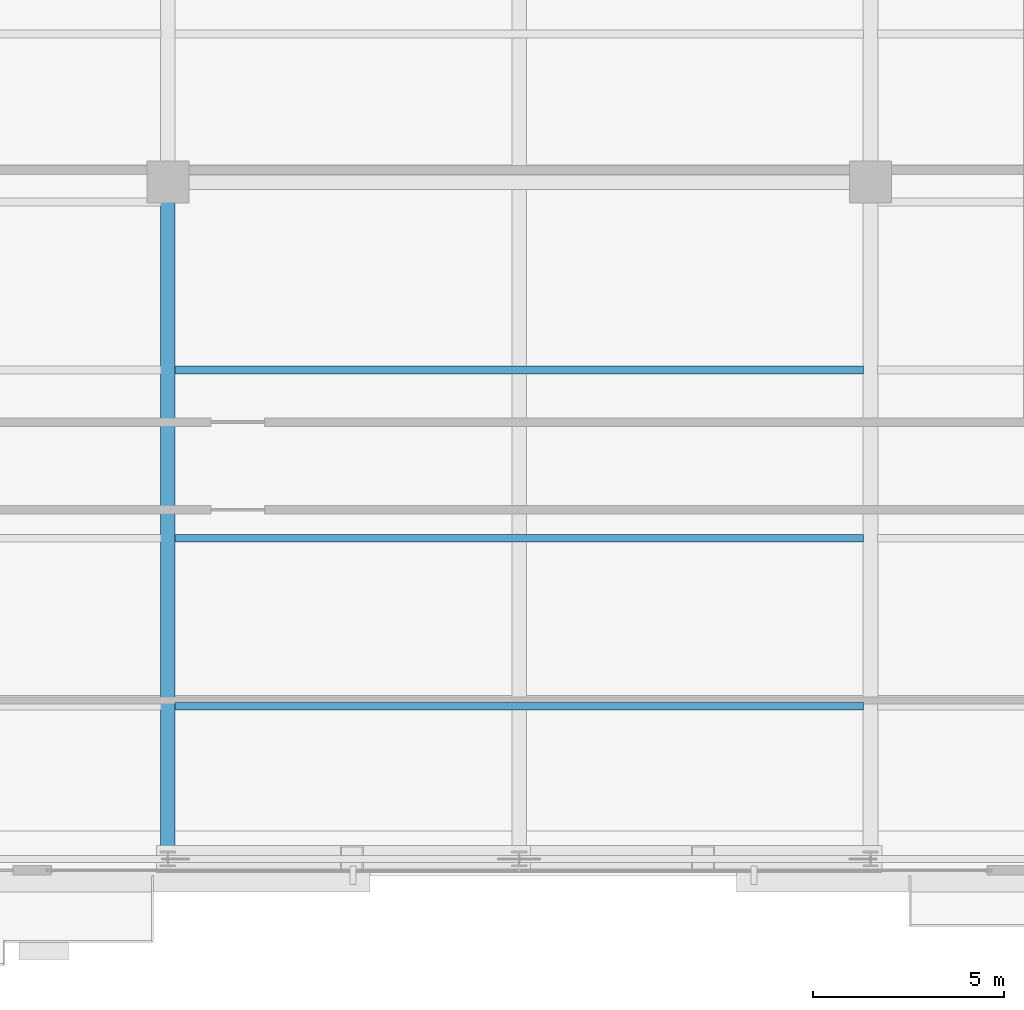
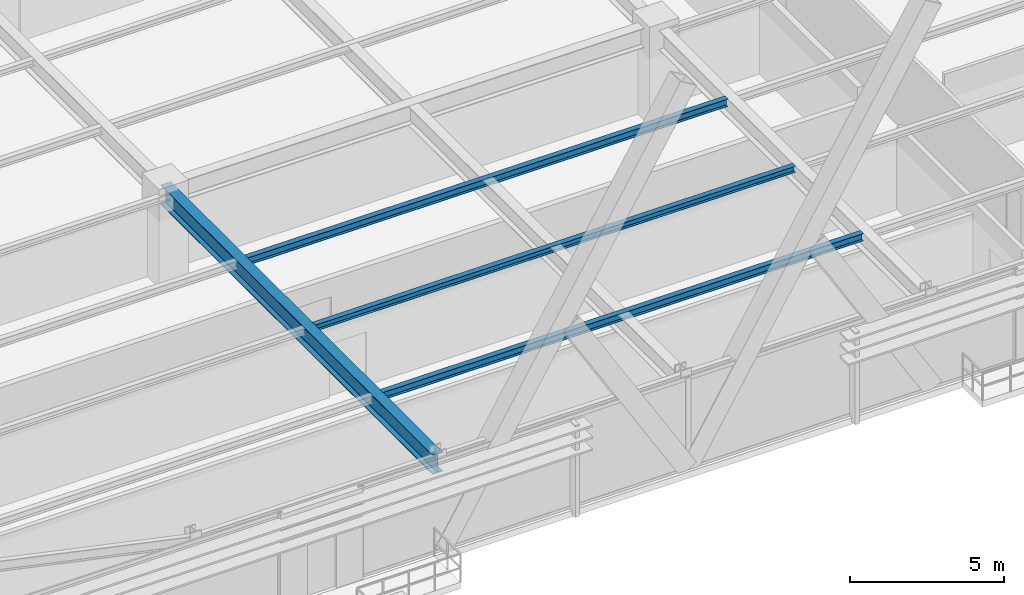
# One storey, part 8 of 32: 4 beams.
"""IFC4 building model written with IfcOpenShell, lengths in metres."""

from ifc_helpers import new_model, si_unit, direction, frame, origin, origin_2d, place, context, subcontext, project, spatial, i_section, extrude, source, transform, mapped, material, material_profile, profile_set, type_object, type_shapes, element, save


model = new_model("IFC4")

# Units and contexts
model_context = context("Model", 3, precision=1e-05, world=origin(), true_north=direction((0.0, 1.0)))
body_context = subcontext(model_context, "Body", "Model", "MODEL_VIEW")
ifc_project = project(units=[si_unit("LENGTHUNIT", "METRE"), si_unit("AREAUNIT", "SQUARE_METRE"), si_unit("VOLUMEUNIT", "CUBIC_METRE"), si_unit("PLANEANGLEUNIT", "RADIAN"), si_unit("MASSUNIT", "GRAM", prefix="KILO")], contexts=[model_context])

# Site, building, storey
site_placement = place(None, origin())
site = spatial("IfcSite", under=ifc_project, at=site_placement, CompositionType="ELEMENT")
building_placement = place(site_placement, origin())
building = spatial("IfcBuilding", under=site, at=building_placement, Name="Varnel Quay Broadcast Tower", CompositionType="ELEMENT")
storey_placement = place(building_placement, frame((0.0, 0.0, 43.199951171875)))
storey = spatial("IfcBuildingStorey", under=building, at=storey_placement, Name="L09", CompositionType="ELEMENT", Elevation=43.199951171875)

# Beams
ifc_material = material(Name="Structural Steel CSA G40.21 350W", Category="steel")
ifc_material_profile_1 = material_profile(ifc_material, i_section(OverallWidth=0.381103515625, OverallDepth=0.77294921875, WebThickness=0.0166015625, FlangeThickness=0.027587890625, FilletRadius=0.01806640625, at=origin_2d()), Name="W760X257")
ifc_profile_set_1 = profile_set([ifc_material_profile_1], Name="Structural Steel CSA G40.21 350W")
beam_type_1 = type_object("IfcBeamType", Name="Girder_W760X257", PredefinedType="BEAM", material=ifc_profile_set_1)
shared_shape_1 = source(origin(), body_context, "Body", "SweptSolid", [
    extrude(i_section(OverallWidth=0.381103515625, OverallDepth=0.77294921875, WebThickness=0.0166015625, FlangeThickness=0.027587890625, FilletRadius=0.01806640625, at=origin_2d()), origin(), (0.0, 0.0, 1.0), 17.68017578125),
])
type_shapes(beam_type_1, [shared_shape_1])
beam_1_placement = place(storey_placement, frame((24.800048828125, 1.669921875, 3.263427734375), z_axis=(0.0, 1.0, 0.0), x_axis=(-1.0, 0.0, 0.0)))
element("IfcBeam", 1, at=beam_1_placement, inside=storey, type_object=beam_type_1, Name="L09 Primary Girder TC-S2-IC-01", PredefinedType="BEAM", context=body_context, shape_type="MappedRepresentation", body=[
    mapped(shared_shape_1, transform((0.0, 0.0, 0.0), x_axis=(1.0, 0.0, 0.0), y_axis=(0.0, 1.0, 0.0), z_axis=(0.0, 0.0, 1.0), scale=1.0)),
])
ifc_material_profile_2 = material_profile(ifc_material, i_section(OverallWidth=0.202880859375, OverallDepth=0.302978515625, WebThickness=0.007568359375, FlangeThickness=0.01318359375, FilletRadius=0.011962890625, at=origin_2d()), Name="W310X60")
ifc_profile_set_2 = profile_set([ifc_material_profile_2], Name="Structural Steel CSA G40.21 350W")
beam_type_2 = type_object("IfcBeamType", Name="Beam_W310X60", PredefinedType="JOIST", material=ifc_profile_set_2)
shared_shape_2 = source(origin(), body_context, "Body", "SweptSolid", [
    extrude(i_section(OverallWidth=0.202880859375, OverallDepth=0.302978515625, WebThickness=0.007568359375, FlangeThickness=0.01318359375, FilletRadius=0.011962890625, at=origin_2d()), origin(), (0.0, 0.0, 1.0), 18.02880859375),
])
type_shapes(beam_type_2, [shared_shape_2])
for number, where, z_axis, x_axis, name in (
    (2, (24.985595703125, 5.64990234375, 3.49853515625), (1.0, 0.0, 0.0), (0.0, 1.0, 0.0), "L09 Central Floor Joist 1"),
    (3, (24.985595703125, 14.449951171875, 3.49853515625), (1.0, 0.0, 0.0), (0.0, 1.0, 0.0), "L09 Central Floor Joist 3"),
):
    element("IfcBeam", number, at=place(storey_placement, frame(where, z_axis=z_axis, x_axis=x_axis)), inside=storey, type_object=beam_type_2, Name=name, PredefinedType="JOIST", context=body_context, shape_type="MappedRepresentation", body=[
        mapped(shared_shape_2, transform((0.0, 0.0, 0.0), x_axis=(1.0, 0.0, 0.0), y_axis=(0.0, 1.0, 0.0), z_axis=(0.0, 0.0, 1.0), scale=1.0)),
    ])
ifc_material_profile_3 = material_profile(ifc_material, i_section(OverallWidth=0.201904296875, OverallDepth=0.2470703125, WebThickness=0.00732421875, FlangeThickness=0.010986328125, FilletRadius=0.010986328125, at=origin_2d()), Name="W250X49")
ifc_profile_set_3 = profile_set([ifc_material_profile_3], Name="Structural Steel CSA G40.21 350W")
beam_type_3 = type_object("IfcBeamType", Name="Beam_W250X49", PredefinedType="JOIST", material=ifc_profile_set_3)
shared_shape_3 = source(origin(), body_context, "Body", "SweptSolid", [
    extrude(i_section(OverallWidth=0.201904296875, OverallDepth=0.2470703125, WebThickness=0.00732421875, FlangeThickness=0.010986328125, FilletRadius=0.010986328125, at=origin_2d()), origin(), (0.0, 0.0, 1.0), 18.02880859375),
])
type_shapes(beam_type_3, [shared_shape_3])
beam_2_placement = place(storey_placement, frame((24.985595703125, 10.050048828125, 3.526611328125), z_axis=(1.0, 0.0, 0.0), x_axis=(0.0, 1.0, 0.0)))
element("IfcBeam", 4, at=beam_2_placement, inside=storey, type_object=beam_type_3, Name="L09 Central Floor Joist 2", PredefinedType="JOIST", context=body_context, shape_type="MappedRepresentation", body=[
    mapped(shared_shape_3, transform((0.0, 0.0, 0.0), x_axis=(1.0, 0.0, 0.0), y_axis=(0.0, 1.0, 0.0), z_axis=(0.0, 0.0, 1.0), scale=1.0)),
])

save(model, "model.ifc")
